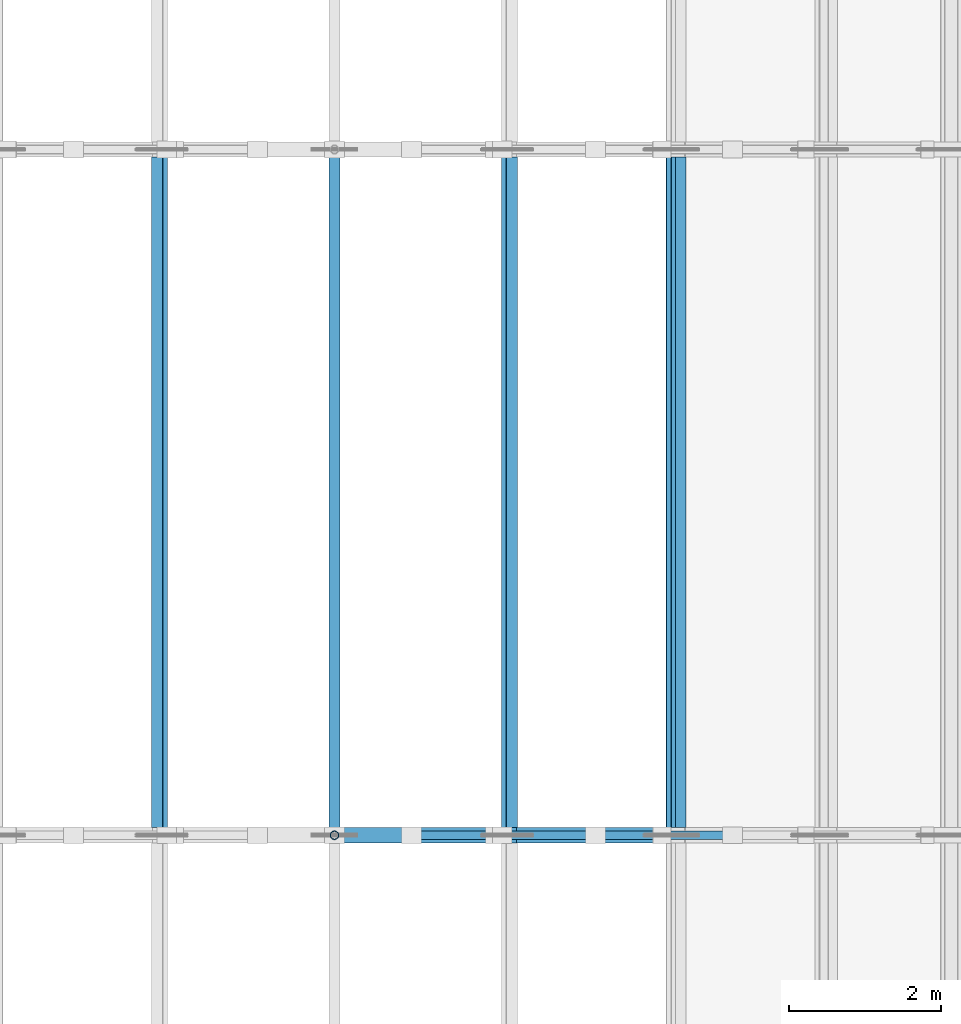
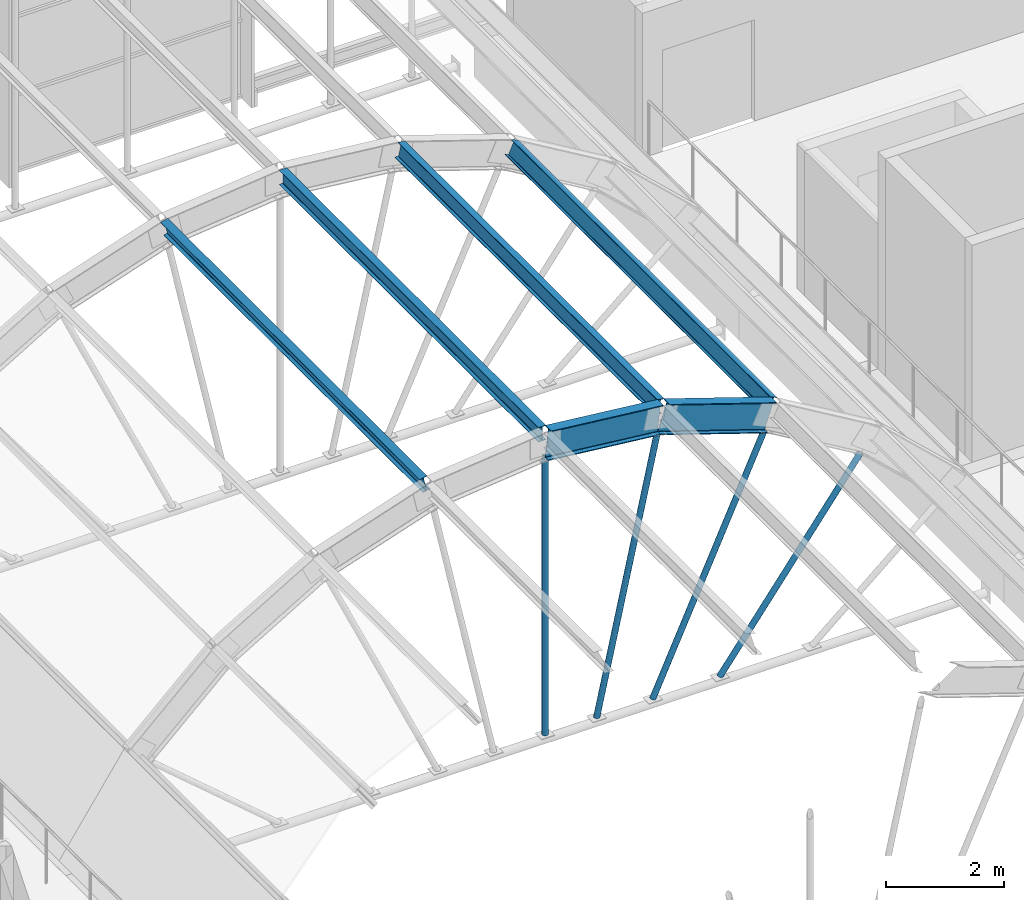
# One storey, part 24 of 79: 8 members, 2 beams.
"""IFC4 building model written with IfcOpenShell, lengths in metres."""

from ifc_helpers import new_model, si_unit, direction, frame, origin, origin_2d, place, context, subcontext, project, spatial, hollow_circle, i_section, extrude, material, material_profile, profile_set, type_object, element, save


model = new_model("IFC4")

# Units and contexts
model_context = context("Model", 3, precision=1e-05, world=origin(), true_north=direction((0.0, 1.0)))
body_context = subcontext(model_context, "Body", "Model", "MODEL_VIEW")
ifc_project = project(units=[si_unit("LENGTHUNIT", "METRE"), si_unit("AREAUNIT", "SQUARE_METRE"), si_unit("VOLUMEUNIT", "CUBIC_METRE"), si_unit("PLANEANGLEUNIT", "RADIAN"), si_unit("MASSUNIT", "GRAM", prefix="KILO")], contexts=[model_context])

# Site, building, storey
site_placement = place(None, origin())
site = spatial("IfcSite", under=ifc_project, at=site_placement, CompositionType="ELEMENT")
building_placement = place(site_placement, origin())
building = spatial("IfcBuilding", under=site, at=building_placement, Name="Guidao Yard Department Store", CompositionType="ELEMENT")
storey_placement = place(building_placement, frame((0.0, 0.0, 15.0)))
storey = spatial("IfcBuildingStorey", under=building, at=storey_placement, Name="L03", CompositionType="ELEMENT", Elevation=15.0)

# Members
ifc_material_1 = material(Name="Steel Q355B", Category="steel")
ifc_material_profile_1 = material_profile(ifc_material_1, hollow_circle(Radius=0.056884765625, WallThickness=0.006103515625, at=origin_2d()), Name="CHS 114x6")
ifc_profile_set_1 = profile_set([ifc_material_profile_1], Name="Steel Q355B")
member_type_1 = type_object("IfcMemberType", Name="CHS 114x6", PredefinedType="BRACE", material=ifc_profile_set_1)
member_1_placement = place(storey_placement, frame((90.0, 90.0, -0.360107421875), z_axis=(0.0, 0.0, 1.0), x_axis=(1.0, 0.0, 0.0)))
element("IfcMember", 1, at=member_1_placement, inside=storey, type_object=member_type_1, Name="Roof web strut C06-05", PredefinedType="BRACE", context=body_context, shape_type="SweptSolid", body=[
    extrude(hollow_circle(Radius=0.056884765625, WallThickness=0.006103515625, at=origin_2d()), origin(), (0.0, 0.0, 1.0), 5.72705078125),
])
member_2_placement = place(storey_placement, frame((91.01123046875, 90.0, -0.360107421875), z_axis=(0.211899287995, 0.0, 0.977291508071), x_axis=(0.0, 1.0, 0.0)))
element("IfcMember", 2, at=member_2_placement, inside=storey, type_object=member_type_1, Name="Roof web strut C06-06", PredefinedType="BRACE", context=body_context, shape_type="SweptSolid", body=[
    extrude(hollow_circle(Radius=0.056884765625, WallThickness=0.006103515625, at=origin_2d()), origin(), (0.0, 0.0, 1.0), 5.619140625),
])
member_3_placement = place(storey_placement, frame((92.109130859375, 90.0, -0.360107421875), z_axis=(0.415142377249, 0.0, 0.909756454559), x_axis=(0.0, 1.0, 0.0)))
element("IfcMember", 3, at=member_3_placement, inside=storey, type_object=member_type_1, Name="Roof web strut C06-07", PredefinedType="BRACE", context=body_context, shape_type="SweptSolid", body=[
    extrude(hollow_circle(Radius=0.056884765625, WallThickness=0.006103515625, at=origin_2d()), origin(), (0.0, 0.0, 1.0), 5.271728515625),
])
member_4_placement = place(storey_placement, frame((93.424072265625, 90.0, -0.360107421875), z_axis=(0.600934318152, 0.0, 0.799298408147), x_axis=(0.0, 1.0, 0.0)))
element("IfcMember", 4, at=member_4_placement, inside=storey, type_object=member_type_1, Name="Roof web strut C06-08", PredefinedType="BRACE", context=body_context, shape_type="SweptSolid", body=[
    extrude(hollow_circle(Radius=0.056884765625, WallThickness=0.006103515625, at=origin_2d()), origin(), (0.0, 0.0, 1.0), 4.596923828125),
])
ifc_material_2 = material(Name="Steel Q355B", Category="steel")
ifc_material_profile_2 = material_profile(ifc_material_2, i_section(OverallWidth=0.14990234375, OverallDepth=0.300048828125, WebThickness=0.006591796875, FlangeThickness=0.009033203125, FilletRadius=0.012939453125, at=origin_2d()), Name="HN 300x150x6.5x9")
ifc_profile_set_2 = profile_set([ifc_material_profile_2], Name="Steel Q355B")
member_type_2 = type_object("IfcMemberType", Name="HN 300x150x6.5x9", PredefinedType="PURLIN", material=ifc_profile_set_2)
for number, where, z_axis, x_axis, name in (
    (5, (87.703857421875, 90.10009765625, 5.56640625), (0.0, 1.0, 0.0), (-0.977291953985, 0.0, -0.211897231402), "Roof purlin C06-04"),
    (6, (90.0, 90.10009765625, 5.812255859375), (0.0, 1.0, 0.0), (-1.0, 0.0, 0.0), "Roof purlin C06-05"),
    (7, (92.296142578125, 90.10009765625, 5.56640625), (0.0, 1.0, 0.0), (-0.977291953985, 0.0, 0.211897231402), "Roof purlin C06-06"),
    (8, (94.482421875, 90.10009765625, 4.841064453125), (0.0, 1.0, 0.0), (-0.909750741633, 0.0, 0.415154896513), "Roof purlin C06-07"),
):
    element("IfcMember", number, at=place(storey_placement, frame(where, z_axis=z_axis, x_axis=x_axis)), inside=storey, type_object=member_type_2, Name=name, PredefinedType="PURLIN", context=body_context, shape_type="SweptSolid", body=[
        extrude(i_section(OverallWidth=0.14990234375, OverallDepth=0.300048828125, WebThickness=0.006591796875, FlangeThickness=0.009033203125, FilletRadius=0.012939453125, at=origin_2d()), origin(), (0.0, 0.0, 1.0), 8.7998046875),
    ])

# Beams
ifc_material_3 = material(Name="Steel Q355B", Category="steel")
ifc_material_profile_3 = material_profile(ifc_material_3, i_section(OverallWidth=0.199951171875, OverallDepth=0.60009765625, WebThickness=0.010986328125, FlangeThickness=0.01708984375, FilletRadius=0.012939453125, at=origin_2d()), Name="HN 600x200x11x17")
ifc_profile_set_3 = profile_set([ifc_material_profile_3], Name="Steel Q355B")
beam_type = type_object("IfcBeamType", Name="HN 600x200x11x17", PredefinedType="BEAM", material=ifc_profile_set_3)
beam_1_placement = place(storey_placement, frame((90.031982421875, 90.0, 5.665283203125), z_axis=(0.994311656362, 0.0, -0.10650976492), x_axis=(0.0, 1.0, 0.0)))
element("IfcBeam", 9, at=beam_1_placement, inside=storey, type_object=beam_type, Name="Roof rib C06-06", PredefinedType="BEAM", context=body_context, shape_type="SweptSolid", body=[
    extrude(i_section(OverallWidth=0.199951171875, OverallDepth=0.60009765625, WebThickness=0.010986328125, FlangeThickness=0.01708984375, FilletRadius=0.012939453125, at=origin_2d()), origin(), (0.0, 0.0, 1.0), 2.21435546875),
])
beam_2_placement = place(storey_placement, frame((92.29638671875, 90.0, 5.416015625), z_axis=(0.949091595418, 0.0, -0.31500022779), x_axis=(0.0, 1.0, 0.0)))
element("IfcBeam", 10, at=beam_2_placement, inside=storey, type_object=beam_type, Name="Roof rib C06-07", PredefinedType="BEAM", context=body_context, shape_type="SweptSolid", body=[
    extrude(i_section(OverallWidth=0.199951171875, OverallDepth=0.60009765625, WebThickness=0.010986328125, FlangeThickness=0.01708984375, FilletRadius=0.012939453125, at=origin_2d()), origin(), (0.0, 0.0, 1.0), 2.2080078125),
])

save(model, "model.ifc")
